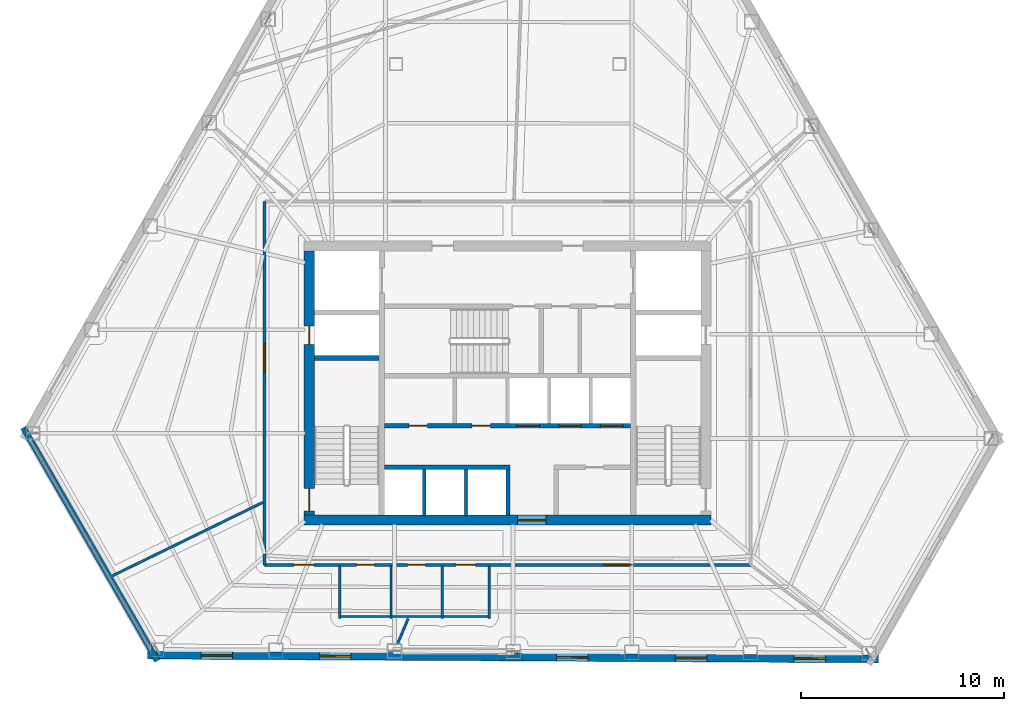
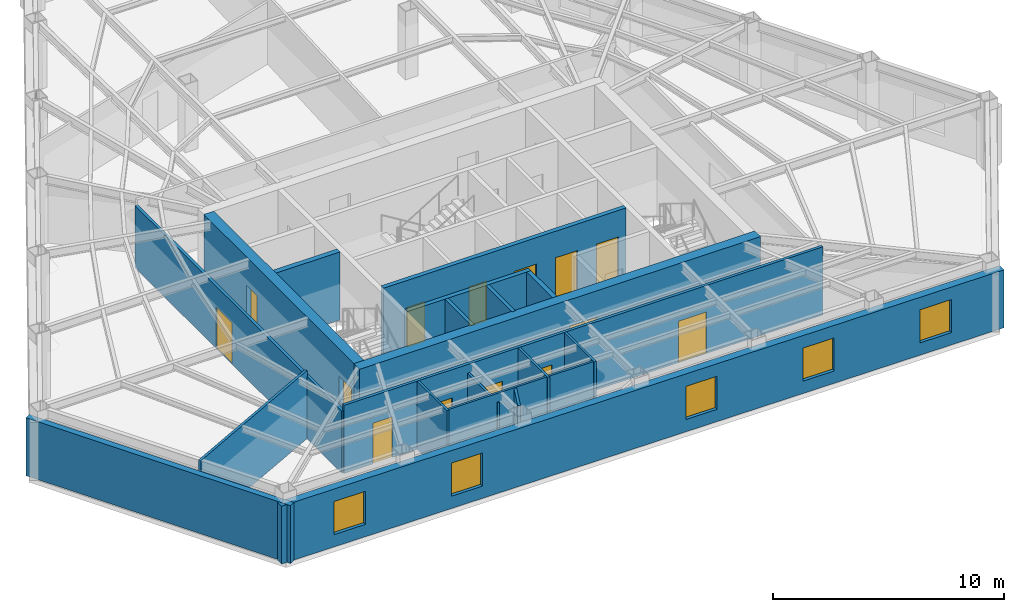
# One storey, part 8 of 13: 19 walls, 14 doors, 5 windows, 19 openings.
"""IFC4 building model written with IfcOpenShell, lengths in metres."""

from ifc_helpers import new_model, si_unit, direction, frame, frame_2d, origin, place, context, subcontext, project, spatial, rectangle, extrude, material, layer, layer_set, type_object, element, fill, save


model = new_model("IFC4")

# Units and contexts
model_context = context("Model", 3, precision=1e-05, world=origin(), true_north=direction((0.0, 1.0)))
body_context = subcontext(model_context, "Body", "Model", "MODEL_VIEW")
ifc_project = project(units=[si_unit("LENGTHUNIT", "METRE"), si_unit("AREAUNIT", "SQUARE_METRE"), si_unit("VOLUMEUNIT", "CUBIC_METRE"), si_unit("PLANEANGLEUNIT", "RADIAN"), si_unit("MASSUNIT", "GRAM", prefix="KILO")], contexts=[model_context])

# Site, building, storey
site_placement = place(None, origin())
site = spatial("IfcSite", under=ifc_project, at=site_placement, CompositionType="ELEMENT")
building_placement = place(site_placement, origin())
building = spatial("IfcBuilding", under=site, at=building_placement, Name="Kavelnor Concourse Tower", CompositionType="ELEMENT")
storey_placement = place(building_placement, frame((0.0, 0.0, 100.89990234375)))
storey = spatial("IfcBuildingStorey", under=building, at=storey_placement, Name="L25", CompositionType="ELEMENT", Elevation=100.89990234375)

# Wall, opening, door
ifc_material_1 = material(Name="Concrete C60/75", Category="concrete")
ifc_layer_1 = layer(ifc_material_1, 0.5, Name="Concrete C60/75")
ifc_layer_set_1 = layer_set([ifc_layer_1], Name="Concrete C60/75")
wall_type_1 = type_object("IfcWallType", Name="WL-CORE-Z2-500", PredefinedType="SOLIDWALL", material=ifc_layer_set_1)
wall_1_placement = place(storey_placement, frame((27.97998046875, 9.35009765625, 0.0), z_axis=(0.0, 0.0, 1.0), x_axis=(1.0, 0.0, 0.0)))
wall_1 = element("IfcWall", 1, at=wall_1_placement, inside=storey, type_object=wall_type_1, Name="L25 Central Core South Shear Wall", PredefinedType="SOLIDWALL", context=body_context, shape_type="SweptSolid", body=[
    extrude(rectangle(XDim=20.0400390625, YDim=0.5, at=frame_2d((10.02001953125, 0.0))), origin(), (0.0, 0.0, 1.0), 3.60009765625),
])
opening_1_placement = place(wall_1_placement, frame((10.52001953125, 0.0, 0.0)))
opening_1 = element("IfcOpeningElement", 2, at=opening_1_placement, cuts=wall_1, Name="Opening SD-140", PredefinedType="OPENING", context=body_context, shape_type="SweptSolid", body=[
    extrude(rectangle(XDim=1.39990234375, YDim=2.199951171875, at=frame_2d((0.699951171875, 1.10009765625))), frame((0.0, 0.260009765625, 0.0), z_axis=(0.0, -1.0, 0.0), x_axis=(1.0, 0.0, 0.0)), (0.0, 0.0, 1.0), 0.52001953125),
])
ifc_material_2 = material(Name="Solid-core hardwood timber", Category="wood")
door_type_1 = type_object("IfcDoorType", Name="DR-SUITE-ENTRY-1400", OperationType="NOTDEFINED", PredefinedType="DOOR", material=ifc_material_2)
door_1_placement = place(opening_1_placement, origin())
door_1 = element("IfcDoor", 3, at=door_1_placement, inside=storey, type_object=door_type_1, Name="L25 Passenger Lift Lobby Entry Door", OperationType="SINGLE_SWING_RIGHT", OverallHeight=2.199951171875, OverallWidth=1.39990234375, PredefinedType="DOOR", context=body_context, shape_type="SweptSolid", body=[
    extrude(rectangle(XDim=1.39990234375, YDim=2.199951171875, at=frame_2d((0.699951171875, 1.10009765625))), frame((0.0, 0.02490234375, 0.0), z_axis=(0.0, -1.0, 0.0), x_axis=(1.0, 0.0, 0.0)), (0.0, 0.0, 1.0), 0.050048828125),
])
fill(opening_1, door_1)

# Wall, openings, doors
wall_2_placement = place(storey_placement, frame((28.22998046875, 9.60009765625, 0.0), z_axis=(0.0, 0.0, 1.0), x_axis=(0.0, 1.0, 0.0)))
wall_2 = element("IfcWall", 4, at=wall_2_placement, inside=storey, type_object=wall_type_1, Name="L25 Central Core West Shear Wall", PredefinedType="SOLIDWALL", context=body_context, shape_type="SweptSolid", body=[
    extrude(rectangle(XDim=13.0, YDim=0.5, at=frame_2d((6.5, 0.0))), origin(), (0.0, 0.0, 1.0), 3.60009765625),
])
opening_2_placement = place(wall_2_placement, frame((0.199951171875, 0.0, 0.0)))
opening_2 = element("IfcOpeningElement", 5, at=opening_2_placement, cuts=wall_2, Name="Opening FD-110", PredefinedType="OPENING", context=body_context, shape_type="SweptSolid", body=[
    extrude(rectangle(XDim=1.10009765625, YDim=2.14990234375, at=frame_2d((0.550048828125, 1.074951171875))), frame((0.0, 0.260009765625, 0.0), z_axis=(0.0, -1.0, 0.0), x_axis=(1.0, 0.0, 0.0)), (0.0, 0.0, 1.0), 0.52001953125),
])
opening_3_placement = place(wall_2_placement, frame((8.39990234375, 0.0, 0.0)))
opening_3 = element("IfcOpeningElement", 6, at=opening_3_placement, cuts=wall_2, Name="Opening FD-090", PredefinedType="OPENING", context=body_context, shape_type="SweptSolid", body=[
    extrude(rectangle(XDim=0.89990234375, YDim=2.10009765625, at=frame_2d((0.449951171875, 1.050048828125))), frame((0.0, 0.260009765625, 0.0), z_axis=(0.0, -1.0, 0.0), x_axis=(1.0, 0.0, 0.0)), (0.0, 0.0, 1.0), 0.52001953125),
])
ifc_material_3 = material(Name="Steel Grade 350", Category="steel")
door_type_2 = type_object("IfcDoorType", Name="DR-RISER-FIRE-900", OperationType="NOTDEFINED", PredefinedType="DOOR", material=ifc_material_3)
door_2_placement = place(opening_3_placement, origin())
door_2 = element("IfcDoor", 7, at=door_2_placement, inside=storey, type_object=door_type_2, Name="L25 West Riser Access Door", OperationType="SINGLE_SWING_RIGHT", OverallHeight=2.10009765625, OverallWidth=0.89990234375, PredefinedType="DOOR", context=body_context, shape_type="SweptSolid", body=[
    extrude(rectangle(XDim=0.89990234375, YDim=2.10009765625, at=frame_2d((0.449951171875, 1.050048828125))), frame((0.0, 0.02490234375, 0.0), z_axis=(0.0, -1.0, 0.0), x_axis=(1.0, 0.0, 0.0)), (0.0, 0.0, 1.0), 0.050048828125),
])
fill(opening_3, door_2)
door_type_3 = type_object("IfcDoorType", Name="DR-STAIR-FIRE-1100", OperationType="NOTDEFINED", PredefinedType="DOOR", material=ifc_material_3)
door_3_placement = place(opening_2_placement, origin())
door_3 = element("IfcDoor", 8, at=door_3_placement, inside=storey, type_object=door_type_3, Name="L25 Stair ST1 Fire Door", OperationType="SINGLE_SWING_LEFT", OverallHeight=2.14990234375, OverallWidth=1.10009765625, PredefinedType="DOOR", context=body_context, shape_type="SweptSolid", body=[
    extrude(rectangle(XDim=1.10009765625, YDim=2.14990234375, at=frame_2d((0.550048828125, 1.074951171875))), frame((0.0, 0.02490234375, 0.0), z_axis=(0.0, -1.0, 0.0), x_axis=(1.0, 0.0, 0.0)), (0.0, 0.0, 1.0), 0.050048828125),
])
fill(opening_2, door_3)

# Wall
ifc_material_4 = material(Name="Buff ironspot clay face brick masonry", Category="masonry")
ifc_layer_2 = layer(ifc_material_4, 0.300048828125, Name="Buff ironspot clay face brick masonry")
ifc_layer_set_2 = layer_set([ifc_layer_2], Name="Buff ironspot clay face brick masonry")
wall_type_2 = type_object("IfcWallType", Name="WL-EXT-BUFF-BRICK-FOLD-300", PredefinedType="STANDARD", material=ifc_layer_set_2)
wall_3_placement = place(storey_placement, frame((20.75439453125, 2.41943359375, 0.0), z_axis=(0.0, 0.0, 1.0), x_axis=(-0.49837034912, 0.866964240969, 0.0)))
element("IfcWall", 9, at=wall_3_placement, inside=storey, type_object=wall_type_2, Name="L25 Exterior Brick Facade Wall E2", PredefinedType="STANDARD", context=body_context, shape_type="SweptSolid", body=[
    extrude(rectangle(XDim=13.245849609375, YDim=0.300048828125, at=frame_2d((6.623046875, 0.0))), origin(), (0.0, 0.0, 1.0), 3.05908203125),
])

# Wall, openings, windows
ifc_material_5 = material(Name="Red-ochre clay face brick masonry", Category="masonry")
ifc_layer_3 = layer(ifc_material_5, 0.3798828125, Name="Red-ochre clay face brick masonry")
ifc_layer_set_3 = layer_set([ifc_layer_3], Name="Red-ochre clay face brick masonry")
wall_type_3 = type_object("IfcWallType", Name="WL-EXT-RED-BRICK-PIER-380", PredefinedType="STANDARD", material=ifc_layer_set_3)
wall_4_placement = place(storey_placement, frame((56.27685546875, 2.512451171875, 0.0), z_axis=(0.0, 0.0, 1.0), x_axis=(-0.999986545033, 0.005187461141, 0.0)))
wall_4 = element("IfcWall", 10, at=wall_4_placement, inside=storey, type_object=wall_type_3, Name="L25 Exterior Brick Facade Wall E3", PredefinedType="STANDARD", context=body_context, shape_type="SweptSolid", body=[
    extrude(rectangle(XDim=36.003662109375, YDim=0.3798828125, at=frame_2d((18.001953125, 0.0))), origin(), (0.0, 0.0, 1.0), 3.05908203125),
])
opening_4_placement = place(wall_4_placement, frame((31.83203125, 0.0, 0.64990234375)))
opening_4 = element("IfcOpeningElement", 11, at=opening_4_placement, cuts=wall_4, Name="Opening W-02", PredefinedType="OPENING", context=body_context, shape_type="SweptSolid", body=[
    extrude(rectangle(XDim=1.550048828125, YDim=1.75, at=frame_2d((0.77490234375, 0.875))), frame((0.0, 0.199951171875, 0.0), z_axis=(0.0, -1.0, 0.0), x_axis=(1.0, 0.0, 0.0)), (0.0, 0.0, 1.0), 0.39990234375),
])
opening_5_placement = place(wall_4_placement, frame((25.990966796875, 0.0, 0.64990234375)))
opening_5 = element("IfcOpeningElement", 12, at=opening_5_placement, cuts=wall_4, Name="Opening W-02", PredefinedType="OPENING", context=body_context, shape_type="SweptSolid", body=[
    extrude(rectangle(XDim=1.550048828125, YDim=1.75, at=frame_2d((0.77490234375, 0.875))), frame((0.0, 0.199951171875, 0.0), z_axis=(0.0, -1.0, 0.0), x_axis=(1.0, 0.0, 0.0)), (0.0, 0.0, 1.0), 0.39990234375),
])
opening_6_placement = place(wall_4_placement, frame((14.308837890625, 0.0, 0.64990234375)))
opening_6 = element("IfcOpeningElement", 13, at=opening_6_placement, cuts=wall_4, Name="Opening W-02", PredefinedType="OPENING", context=body_context, shape_type="SweptSolid", body=[
    extrude(rectangle(XDim=1.550048828125, YDim=1.75, at=frame_2d((0.77490234375, 0.875))), frame((0.0, 0.199951171875, 0.0), z_axis=(0.0, -1.0, 0.0), x_axis=(1.0, 0.0, 0.0)), (0.0, 0.0, 1.0), 0.39990234375),
])
opening_7_placement = place(wall_4_placement, frame((8.4677734375, 0.0, 0.64990234375)))
opening_7 = element("IfcOpeningElement", 14, at=opening_7_placement, cuts=wall_4, Name="Opening W-02", PredefinedType="OPENING", context=body_context, shape_type="SweptSolid", body=[
    extrude(rectangle(XDim=1.550048828125, YDim=1.75, at=frame_2d((0.77490234375, 0.875))), frame((0.0, 0.199951171875, 0.0), z_axis=(0.0, -1.0, 0.0), x_axis=(1.0, 0.0, 0.0)), (0.0, 0.0, 1.0), 0.39990234375),
])
opening_8_placement = place(wall_4_placement, frame((2.626708984375, 0.0, 0.64990234375)))
opening_8 = element("IfcOpeningElement", 15, at=opening_8_placement, cuts=wall_4, Name="Opening W-02", PredefinedType="OPENING", context=body_context, shape_type="SweptSolid", body=[
    extrude(rectangle(XDim=1.550048828125, YDim=1.75, at=frame_2d((0.77490234375, 0.875))), frame((0.0, 0.199951171875, 0.0), z_axis=(0.0, -1.0, 0.0), x_axis=(1.0, 0.0, 0.0)), (0.0, 0.0, 1.0), 0.39990234375),
])
ifc_material_6 = material(Name="Double low-E argon insulated glazing", Category="glass")
window_type = type_object("IfcWindowType", Name="WIN-PIER-Z2-1650", PartitioningType="SINGLE_PANEL", PredefinedType="WINDOW", material=ifc_material_6)
window_1_placement = place(opening_4_placement, origin())
window_1 = element("IfcWindow", 16, at=window_1_placement, inside=storey, type_object=window_type, Name="L25 Deep-Set Brick Pier Window F1-B0", OverallHeight=1.75, OverallWidth=1.550048828125, PartitioningType="SINGLE_PANEL", PredefinedType="WINDOW", context=body_context, shape_type="SweptSolid", body=[
    extrude(rectangle(XDim=1.550048828125, YDim=1.75, at=frame_2d((0.77490234375, 0.875))), frame((0.0, 0.030029296875, 0.0), z_axis=(0.0, -1.0, 0.0), x_axis=(1.0, 0.0, 0.0)), (0.0, 0.0, 1.0), 0.06005859375),
])
fill(opening_4, window_1)
window_2_placement = place(opening_5_placement, origin())
window_2 = element("IfcWindow", 17, at=window_2_placement, inside=storey, type_object=window_type, Name="L25 Deep-Set Brick Pier Window F1-B1", OverallHeight=1.75, OverallWidth=1.550048828125, PartitioningType="SINGLE_PANEL", PredefinedType="WINDOW", context=body_context, shape_type="SweptSolid", body=[
    extrude(rectangle(XDim=1.550048828125, YDim=1.75, at=frame_2d((0.77490234375, 0.875))), frame((0.0, 0.030029296875, 0.0), z_axis=(0.0, -1.0, 0.0), x_axis=(1.0, 0.0, 0.0)), (0.0, 0.0, 1.0), 0.06005859375),
])
fill(opening_5, window_2)
window_3_placement = place(opening_6_placement, origin())
window_3 = element("IfcWindow", 18, at=window_3_placement, inside=storey, type_object=window_type, Name="L25 Deep-Set Brick Pier Window F1-B3", OverallHeight=1.75, OverallWidth=1.550048828125, PartitioningType="SINGLE_PANEL", PredefinedType="WINDOW", context=body_context, shape_type="SweptSolid", body=[
    extrude(rectangle(XDim=1.550048828125, YDim=1.75, at=frame_2d((0.77490234375, 0.875))), frame((0.0, 0.030029296875, 0.0), z_axis=(0.0, -1.0, 0.0), x_axis=(1.0, 0.0, 0.0)), (0.0, 0.0, 1.0), 0.06005859375),
])
fill(opening_6, window_3)
window_4_placement = place(opening_7_placement, origin())
window_4 = element("IfcWindow", 19, at=window_4_placement, inside=storey, type_object=window_type, Name="L25 Deep-Set Brick Pier Window F1-B4", OverallHeight=1.75, OverallWidth=1.550048828125, PartitioningType="SINGLE_PANEL", PredefinedType="WINDOW", context=body_context, shape_type="SweptSolid", body=[
    extrude(rectangle(XDim=1.550048828125, YDim=1.75, at=frame_2d((0.77490234375, 0.875))), frame((0.0, 0.030029296875, 0.0), z_axis=(0.0, -1.0, 0.0), x_axis=(1.0, 0.0, 0.0)), (0.0, 0.0, 1.0), 0.06005859375),
])
fill(opening_7, window_4)
window_5_placement = place(opening_8_placement, origin())
window_5 = element("IfcWindow", 20, at=window_5_placement, inside=storey, type_object=window_type, Name="L25 Deep-Set Brick Pier Window F1-B5", OverallHeight=1.75, OverallWidth=1.550048828125, PartitioningType="SINGLE_PANEL", PredefinedType="WINDOW", context=body_context, shape_type="SweptSolid", body=[
    extrude(rectangle(XDim=1.550048828125, YDim=1.75, at=frame_2d((0.77490234375, 0.875))), frame((0.0, 0.030029296875, 0.0), z_axis=(0.0, -1.0, 0.0), x_axis=(1.0, 0.0, 0.0)), (0.0, 0.0, 1.0), 0.06005859375),
])
fill(opening_8, window_5)

# Wall, opening, door
ifc_material_7 = material(Name="Gypsum plasterboard on light-gauge steel studs", Category="steel")
ifc_layer_4 = layer(ifc_material_7, 0.14501953125, Name="Gypsum plasterboard on light-gauge steel studs")
ifc_layer_set_4 = layer_set([ifc_layer_4], Name="Gypsum plasterboard on light-gauge steel studs")
wall_type_4 = type_object("IfcWallType", Name="WL-INT-CORR-145", PredefinedType="PARTITIONING", material=ifc_layer_set_4)
wall_5_placement = place(storey_placement, frame((26.030029296875, 25.050048828125, 0.0), z_axis=(0.0, 0.0, 1.0), x_axis=(0.0, -1.0, 0.0)))
wall_5 = element("IfcWall", 21, at=wall_5_placement, inside=storey, type_object=wall_type_4, Name="L25 Corridor Wall WL-L25-CR-03", PredefinedType="PARTITIONING", context=body_context, shape_type="SweptSolid", body=[
    extrude(rectangle(XDim=17.900146484375, YDim=0.14501953125, at=frame_2d((8.9501953125, 0.0))), origin(), (0.0, 0.0, 1.0), 3.2880859375),
])
opening_9_placement = place(wall_5_placement, frame((7.01611328125, 0.0, 0.0)))
opening_9 = element("IfcOpeningElement", 22, at=opening_9_placement, cuts=wall_5, Name="Opening SD-140", PredefinedType="OPENING", context=body_context, shape_type="SweptSolid", body=[
    extrude(rectangle(XDim=1.39990234375, YDim=2.199951171875, at=frame_2d((0.699951171875, 1.10009765625))), frame((0.0, 0.08251953125, 0.0), z_axis=(0.0, -1.0, 0.0), x_axis=(1.0, 0.0, 0.0)), (0.0, 0.0, 1.0), 0.1650390625),
])
door_4_placement = place(opening_9_placement, origin())
door_4 = element("IfcDoor", 23, at=door_4_placement, inside=storey, type_object=door_type_1, Name="L25 Architectural Design Studio 04 Door", OperationType="SINGLE_SWING_RIGHT", OverallHeight=2.199951171875, OverallWidth=1.39990234375, PredefinedType="DOOR", context=body_context, shape_type="SweptSolid", body=[
    extrude(rectangle(XDim=1.39990234375, YDim=2.199951171875, at=frame_2d((0.699951171875, 1.10009765625))), frame((0.0, 0.02490234375, 0.0), z_axis=(0.0, -1.0, 0.0), x_axis=(1.0, 0.0, 0.0)), (0.0, 0.0, 1.0), 0.050048828125),
])
fill(opening_9, door_4)

# Wall, openings, doors
wall_6_placement = place(storey_placement, frame((26.030029296875, 7.14990234375, 0.0), z_axis=(0.0, 0.0, 1.0), x_axis=(1.0, 0.0, 0.0)))
wall_6 = element("IfcWall", 24, at=wall_6_placement, inside=storey, type_object=wall_type_4, Name="L25 Corridor Wall WL-L25-CR-04", PredefinedType="PARTITIONING", context=body_context, shape_type="SweptSolid", body=[
    extrude(rectangle(XDim=23.93994140625, YDim=0.14501953125, at=frame_2d((11.969970703125, 0.0))), origin(), (0.0, 0.0, 1.0), 3.60009765625),
])
opening_10_placement = place(wall_6_placement, frame((4.530029296875, 0.0, 0.0)))
opening_10 = element("IfcOpeningElement", 25, at=opening_10_placement, cuts=wall_6, Name="Opening WD-088", PredefinedType="OPENING", context=body_context, shape_type="SweptSolid", body=[
    extrude(rectangle(XDim=0.8798828125, YDim=2.10009765625, at=frame_2d((0.43994140625, 1.050048828125))), frame((0.0, 0.08251953125, 0.0), z_axis=(0.0, -1.0, 0.0), x_axis=(1.0, 0.0, 0.0)), (0.0, 0.0, 1.0), 0.1650390625),
])
opening_11_placement = place(wall_6_placement, frame((7.050048828125, 0.0, 0.0)))
opening_11 = element("IfcOpeningElement", 26, at=opening_11_placement, cuts=wall_6, Name="Opening WD-088", PredefinedType="OPENING", context=body_context, shape_type="SweptSolid", body=[
    extrude(rectangle(XDim=0.8798828125, YDim=2.10009765625, at=frame_2d((0.43994140625, 1.050048828125))), frame((0.0, 0.08251953125, 0.0), z_axis=(0.0, -1.0, 0.0), x_axis=(1.0, 0.0, 0.0)), (0.0, 0.0, 1.0), 0.1650390625),
])
opening_12_placement = place(wall_6_placement, frame((9.429931640625, 0.0, 0.0)))
opening_12 = element("IfcOpeningElement", 27, at=opening_12_placement, cuts=wall_6, Name="Opening WD-096", PredefinedType="OPENING", context=body_context, shape_type="SweptSolid", body=[
    extrude(rectangle(XDim=0.9599609375, YDim=2.10009765625, at=frame_2d((0.47998046875, 1.050048828125))), frame((0.0, 0.08251953125, 0.0), z_axis=(0.0, -1.0, 0.0), x_axis=(1.0, 0.0, 0.0)), (0.0, 0.0, 1.0), 0.1650390625),
])
opening_13_placement = place(wall_6_placement, frame((1.45556640625, 0.0, 0.0)))
opening_13 = element("IfcOpeningElement", 28, at=opening_13_placement, cuts=wall_6, Name="Opening OD-098", PredefinedType="OPENING", context=body_context, shape_type="SweptSolid", body=[
    extrude(rectangle(XDim=0.97998046875, YDim=2.14990234375, at=frame_2d((0.489990234375, 1.074951171875))), frame((0.0, 0.08251953125, 0.0), z_axis=(0.0, -1.0, 0.0), x_axis=(1.0, 0.0, 0.0)), (0.0, 0.0, 1.0), 0.1650390625),
])
opening_14_placement = place(wall_6_placement, frame((16.71435546875, 0.0, 0.0)))
opening_14 = element("IfcOpeningElement", 29, at=opening_14_placement, cuts=wall_6, Name="Opening SD-140", PredefinedType="OPENING", context=body_context, shape_type="SweptSolid", body=[
    extrude(rectangle(XDim=1.39990234375, YDim=2.199951171875, at=frame_2d((0.699951171875, 1.10009765625))), frame((0.0, 0.08251953125, 0.0), z_axis=(0.0, -1.0, 0.0), x_axis=(1.0, 0.0, 0.0)), (0.0, 0.0, 1.0), 0.1650390625),
])
door_type_4 = type_object("IfcDoorType", Name="DR-OFFICE-980", OperationType="NOTDEFINED", PredefinedType="DOOR", material=ifc_material_2)
door_5_placement = place(opening_13_placement, origin())
door_5 = element("IfcDoor", 30, at=door_5_placement, inside=storey, type_object=door_type_4, Name="L25 Architectural Design Studio 05 Door", OperationType="SINGLE_SWING_LEFT", OverallHeight=2.14990234375, OverallWidth=0.97998046875, PredefinedType="DOOR", context=body_context, shape_type="SweptSolid", body=[
    extrude(rectangle(XDim=0.97998046875, YDim=2.14990234375, at=frame_2d((0.489990234375, 1.074951171875))), frame((0.0, 0.02490234375, 0.0), z_axis=(0.0, -1.0, 0.0), x_axis=(1.0, 0.0, 0.0)), (0.0, 0.0, 1.0), 0.050048828125),
])
fill(opening_13, door_5)
door_6_placement = place(opening_14_placement, origin())
door_6 = element("IfcDoor", 31, at=door_6_placement, inside=storey, type_object=door_type_1, Name="L25 Architectural Design Studio 06 Door", OperationType="SINGLE_SWING_RIGHT", OverallHeight=2.199951171875, OverallWidth=1.39990234375, PredefinedType="DOOR", context=body_context, shape_type="SweptSolid", body=[
    extrude(rectangle(XDim=1.39990234375, YDim=2.199951171875, at=frame_2d((0.699951171875, 1.10009765625))), frame((0.0, 0.02490234375, 0.0), z_axis=(0.0, -1.0, 0.0), x_axis=(1.0, 0.0, 0.0)), (0.0, 0.0, 1.0), 0.050048828125),
])
fill(opening_14, door_6)
door_type_5 = type_object("IfcDoorType", Name="DR-WC-ACC-960", OperationType="NOTDEFINED", PredefinedType="DOOR", material=ifc_material_2)
door_7_placement = place(opening_12_placement, origin())
door_7 = element("IfcDoor", 32, at=door_7_placement, inside=storey, type_object=door_type_5, Name="L25 Accessible WC Door", OperationType="SINGLE_SWING_LEFT", OverallHeight=2.10009765625, OverallWidth=0.9599609375, PredefinedType="DOOR", context=body_context, shape_type="SweptSolid", body=[
    extrude(rectangle(XDim=0.9599609375, YDim=2.10009765625, at=frame_2d((0.47998046875, 1.050048828125))), frame((0.0, 0.02490234375, 0.0), z_axis=(0.0, -1.0, 0.0), x_axis=(1.0, 0.0, 0.0)), (0.0, 0.0, 1.0), 0.050048828125),
])
fill(opening_12, door_7)
door_type_6 = type_object("IfcDoorType", Name="DR-WC-STD-880", OperationType="NOTDEFINED", PredefinedType="DOOR", material=ifc_material_2)
door_8_placement = place(opening_10_placement, origin())
door_8 = element("IfcDoor", 33, at=door_8_placement, inside=storey, type_object=door_type_6, Name="L25 Male WC Door", OperationType="SINGLE_SWING_LEFT", OverallHeight=2.10009765625, OverallWidth=0.8798828125, PredefinedType="DOOR", context=body_context, shape_type="SweptSolid", body=[
    extrude(rectangle(XDim=0.8798828125, YDim=2.10009765625, at=frame_2d((0.43994140625, 1.050048828125))), frame((0.0, 0.02490234375, 0.0), z_axis=(0.0, -1.0, 0.0), x_axis=(1.0, 0.0, 0.0)), (0.0, 0.0, 1.0), 0.050048828125),
])
fill(opening_10, door_8)
door_9_placement = place(opening_11_placement, origin())
door_9 = element("IfcDoor", 34, at=door_9_placement, inside=storey, type_object=door_type_6, Name="L25 Female WC Door", OperationType="SINGLE_SWING_RIGHT", OverallHeight=2.10009765625, OverallWidth=0.8798828125, PredefinedType="DOOR", context=body_context, shape_type="SweptSolid", body=[
    extrude(rectangle(XDim=0.8798828125, YDim=2.10009765625, at=frame_2d((0.43994140625, 1.050048828125))), frame((0.0, 0.02490234375, 0.0), z_axis=(0.0, -1.0, 0.0), x_axis=(1.0, 0.0, 0.0)), (0.0, 0.0, 1.0), 0.050048828125),
])
fill(opening_11, door_9)

# Walls
ifc_layer_5 = layer(ifc_material_7, 0.1650390625, Name="Gypsum plasterboard on light-gauge steel studs")
ifc_layer_set_5 = layer_set([ifc_layer_5], Name="Gypsum plasterboard on light-gauge steel studs")
wall_type_5 = type_object("IfcWallType", Name="WL-INT-FIRE-165", PredefinedType="PARTITIONING", material=ifc_layer_set_5)
for number, where, z_axis, x_axis, name in (
    (35, (33.89990234375, 9.550048828125, 0.0), (0.0, 0.0, 1.0), (0.0, 1.0, 0.0), "L25 Lift Shaft Divider LP7"),
    (36, (35.949951171875, 9.550048828125, 0.0), (0.0, 0.0, 1.0), (0.0, 1.0, 0.0), "L25 Lift Shaft Divider LP8"),
):
    element("IfcWall", number, at=place(storey_placement, frame(where, z_axis=z_axis, x_axis=x_axis)), inside=storey, type_object=wall_type_5, Name=name, PredefinedType="PARTITIONING", context=body_context, shape_type="SweptSolid", body=[
        extrude(rectangle(XDim=2.2900390625, YDim=0.1650390625, at=frame_2d((1.14501953125, 0.0))), origin(), (0.0, 0.0, 1.0), 3.60009765625),
    ])
ifc_layer_6 = layer(ifc_material_7, 0.125, Name="Gypsum plasterboard on light-gauge steel studs")
ifc_layer_set_6 = layer_set([ifc_layer_6], Name="Gypsum plasterboard on light-gauge steel studs")
wall_type_6 = type_object("IfcWallType", Name="WL-INT-SUITE-125", PredefinedType="PARTITIONING", material=ifc_layer_set_6)
wall_7_placement = place(storey_placement, frame((25.949462890625, 10.22265625, 0.0), z_axis=(0.0, 0.0, 1.0), x_axis=(-0.898788385453, -0.438382753054, 0.0)))
element("IfcWall", 37, at=wall_7_placement, inside=storey, type_object=wall_type_6, Name="L25 Radial Suite Partition 04", PredefinedType="PARTITIONING", context=body_context, shape_type="SweptSolid", body=[
    extrude(rectangle(XDim=8.23681640625, YDim=0.125, at=frame_2d((4.118408203125, 0.0))), origin(), (0.0, 0.0, 1.0), 3.60009765625),
])
wall_8_placement = place(storey_placement, frame((33.105712890625, 4.5, 0.0), z_axis=(0.0, 0.0, 1.0), x_axis=(-0.388819762507, -0.921313840276, 0.0)))
element("IfcWall", 38, at=wall_8_placement, inside=storey, type_object=wall_type_6, Name="L25 Radial Suite Partition 05", PredefinedType="PARTITIONING", context=body_context, shape_type="SweptSolid", body=[
    extrude(rectangle(XDim=1.33056640625, YDim=0.125, at=frame_2d((0.665283203125, 0.0))), origin(), (0.0, 0.0, 1.0), 3.60009765625),
])
ifc_layer_7 = layer(ifc_material_7, 0.110107421875, Name="Gypsum plasterboard on light-gauge steel studs")
ifc_layer_set_7 = layer_set([ifc_layer_7], Name="Gypsum plasterboard on light-gauge steel studs")
wall_type_7 = type_object("IfcWallType", Name="WL-INT-WC-110", PredefinedType="PLUMBINGWALL", material=ifc_layer_set_7)
wall_9_placement = place(storey_placement, frame((29.739990234375, 4.5, 0.0), z_axis=(0.0, 0.0, 1.0), x_axis=(0.0, 1.0, 0.0)))
element("IfcWall", 39, at=wall_9_placement, inside=storey, type_object=wall_type_7, Name="L25 Sanitary Partition WL-L25-WC-W", PredefinedType="PLUMBINGWALL", context=body_context, shape_type="SweptSolid", body=[
    extrude(rectangle(XDim=2.580078125, YDim=0.110107421875, at=frame_2d((1.2900390625, 0.0))), origin(), (0.0, 0.0, 1.0), 3.60009765625),
])
wall_10_placement = place(storey_placement, frame((32.260009765625, 4.5, 0.0), z_axis=(0.0, 0.0, 1.0), x_axis=(0.0, 1.0, 0.0)))
element("IfcWall", 40, at=wall_10_placement, inside=storey, type_object=wall_type_7, Name="L25 Sanitary Partition WL-L25-WC-D1", PredefinedType="PLUMBINGWALL", context=body_context, shape_type="SweptSolid", body=[
    extrude(rectangle(XDim=2.580078125, YDim=0.110107421875, at=frame_2d((1.2900390625, 0.0))), origin(), (0.0, 0.0, 1.0), 3.14111328125),
])
for number, where, z_axis, x_axis, name in (
    (41, (34.780029296875, 4.5, 0.0), (0.0, 0.0, 1.0), (0.0, 1.0, 0.0), "L25 Sanitary Partition WL-L25-WC-D2"),
    (42, (37.10009765625, 4.5, 0.0), (0.0, 0.0, 1.0), (0.0, 1.0, 0.0), "L25 Sanitary Partition WL-L25-WC-E"),
):
    element("IfcWall", number, at=place(storey_placement, frame(where, z_axis=z_axis, x_axis=x_axis)), inside=storey, type_object=wall_type_7, Name=name, PredefinedType="PLUMBINGWALL", context=body_context, shape_type="SweptSolid", body=[
        extrude(rectangle(XDim=2.580078125, YDim=0.110107421875, at=frame_2d((1.2900390625, 0.0))), origin(), (0.0, 0.0, 1.0), 3.60009765625),
    ])
wall_11_placement = place(storey_placement, frame((29.68994140625, 4.60009765625, 0.0), z_axis=(0.0, 0.0, 1.0), x_axis=(1.0, 0.0, 0.0)))
element("IfcWall", 43, at=wall_11_placement, inside=storey, type_object=wall_type_7, Name="L25 Sanitary Partition WL-L25-WC-S", PredefinedType="PLUMBINGWALL", context=body_context, shape_type="SweptSolid", body=[
    extrude(rectangle(XDim=7.4599609375, YDim=0.110107421875, at=frame_2d((3.72998046875, 0.0))), origin(), (0.0, 0.0, 1.0), 3.60009765625),
])

# Wall, openings, doors
ifc_material_8 = material(Name="Concrete C50/60", Category="concrete")
ifc_layer_8 = layer(ifc_material_8, 0.219970703125, Name="Concrete C50/60")
ifc_layer_set_8 = layer_set([ifc_layer_8], Name="Concrete C50/60")
wall_type_8 = type_object("IfcWallType", Name="WL-SHAFT-220", PredefinedType="SOLIDWALL", material=ifc_layer_set_8)
wall_12_placement = place(storey_placement, frame((31.93994140625, 13.989990234375, 0.0), z_axis=(0.0, 0.0, 1.0), x_axis=(1.0, 0.0, 0.0)))
wall_12 = element("IfcWall", 44, at=wall_12_placement, inside=storey, type_object=wall_type_8, Name="L25 North Lift Row Shaft Wall", PredefinedType="SOLIDWALL", context=body_context, shape_type="SweptSolid", body=[
    extrude(rectangle(XDim=12.1201171875, YDim=0.219970703125, at=frame_2d((6.06005859375, 0.0))), origin(), (0.0, 0.0, 1.0), 3.60009765625),
])
opening_15_placement = place(wall_12_placement, frame((1.2099609375, 0.0, 0.0)))
opening_15 = element("IfcOpeningElement", 45, at=opening_15_placement, cuts=wall_12, Name="Opening FD-090", PredefinedType="OPENING", context=body_context, shape_type="SweptSolid", body=[
    extrude(rectangle(XDim=0.89990234375, YDim=2.10009765625, at=frame_2d((0.449951171875, 1.050048828125))), frame((0.0, 0.1201171875, 0.0), z_axis=(0.0, -1.0, 0.0), x_axis=(1.0, 0.0, 0.0)), (0.0, 0.0, 1.0), 0.239990234375),
])
opening_16_placement = place(wall_12_placement, frame((4.31005859375, 0.0, 0.0)))
opening_16 = element("IfcOpeningElement", 46, at=opening_16_placement, cuts=wall_12, Name="Opening FD-090", PredefinedType="OPENING", context=body_context, shape_type="SweptSolid", body=[
    extrude(rectangle(XDim=0.89990234375, YDim=2.10009765625, at=frame_2d((0.449951171875, 1.050048828125))), frame((0.0, 0.1201171875, 0.0), z_axis=(0.0, -1.0, 0.0), x_axis=(1.0, 0.0, 0.0)), (0.0, 0.0, 1.0), 0.239990234375),
])
opening_17_placement = place(wall_12_placement, frame((6.534912109375, 0.0, 0.0)))
opening_17 = element("IfcOpeningElement", 47, at=opening_17_placement, cuts=wall_12, Name="Opening LD-110", PredefinedType="OPENING", context=body_context, shape_type="SweptSolid", body=[
    extrude(rectangle(XDim=1.10009765625, YDim=2.199951171875, at=frame_2d((0.550048828125, 1.10009765625))), frame((0.0, 0.1201171875, 0.0), z_axis=(0.0, -1.0, 0.0), x_axis=(1.0, 0.0, 0.0)), (0.0, 0.0, 1.0), 0.239990234375),
])
opening_18_placement = place(wall_12_placement, frame((8.5849609375, 0.0, 0.0)))
opening_18 = element("IfcOpeningElement", 48, at=opening_18_placement, cuts=wall_12, Name="Opening LD-110", PredefinedType="OPENING", context=body_context, shape_type="SweptSolid", body=[
    extrude(rectangle(XDim=1.10009765625, YDim=2.199951171875, at=frame_2d((0.550048828125, 1.10009765625))), frame((0.0, 0.1201171875, 0.0), z_axis=(0.0, -1.0, 0.0), x_axis=(1.0, 0.0, 0.0)), (0.0, 0.0, 1.0), 0.239990234375),
])
opening_19_placement = place(wall_12_placement, frame((10.635009765625, 0.0, 0.0)))
opening_19 = element("IfcOpeningElement", 49, at=opening_19_placement, cuts=wall_12, Name="Opening LD-110", PredefinedType="OPENING", context=body_context, shape_type="SweptSolid", body=[
    extrude(rectangle(XDim=1.10009765625, YDim=2.199951171875, at=frame_2d((0.550048828125, 1.10009765625))), frame((0.0, 0.1201171875, 0.0), z_axis=(0.0, -1.0, 0.0), x_axis=(1.0, 0.0, 0.0)), (0.0, 0.0, 1.0), 0.239990234375),
])
door_type_7 = type_object("IfcDoorType", Name="DR-LIFT-SLIDING-1100", OperationType="NOTDEFINED", PredefinedType="DOOR", material=ifc_material_3)
door_10_placement = place(opening_17_placement, origin())
door_10 = element("IfcDoor", 50, at=door_10_placement, inside=storey, type_object=door_type_7, Name="L25 Lift LP4 Landing Door", OperationType="DOUBLE_DOOR_SLIDING", OverallHeight=2.199951171875, OverallWidth=1.10009765625, PredefinedType="DOOR", context=body_context, shape_type="SweptSolid", body=[
    extrude(rectangle(XDim=1.10009765625, YDim=2.199951171875, at=frame_2d((0.550048828125, 1.10009765625))), frame((0.0, 0.02490234375, 0.0), z_axis=(0.0, -1.0, 0.0), x_axis=(1.0, 0.0, 0.0)), (0.0, 0.0, 1.0), 0.050048828125),
])
fill(opening_17, door_10)
door_11_placement = place(opening_18_placement, origin())
door_11 = element("IfcDoor", 51, at=door_11_placement, inside=storey, type_object=door_type_7, Name="L25 Lift LP5 Landing Door", OperationType="DOUBLE_DOOR_SLIDING", OverallHeight=2.199951171875, OverallWidth=1.10009765625, PredefinedType="DOOR", context=body_context, shape_type="SweptSolid", body=[
    extrude(rectangle(XDim=1.10009765625, YDim=2.199951171875, at=frame_2d((0.550048828125, 1.10009765625))), frame((0.0, 0.02490234375, 0.0), z_axis=(0.0, -1.0, 0.0), x_axis=(1.0, 0.0, 0.0)), (0.0, 0.0, 1.0), 0.050048828125),
])
fill(opening_18, door_11)
door_12_placement = place(opening_19_placement, origin())
door_12 = element("IfcDoor", 52, at=door_12_placement, inside=storey, type_object=door_type_7, Name="L25 Lift LP6 Landing Door", OperationType="DOUBLE_DOOR_SLIDING", OverallHeight=2.199951171875, OverallWidth=1.10009765625, PredefinedType="DOOR", context=body_context, shape_type="SweptSolid", body=[
    extrude(rectangle(XDim=1.10009765625, YDim=2.199951171875, at=frame_2d((0.550048828125, 1.10009765625))), frame((0.0, 0.02490234375, 0.0), z_axis=(0.0, -1.0, 0.0), x_axis=(1.0, 0.0, 0.0)), (0.0, 0.0, 1.0), 0.050048828125),
])
fill(opening_19, door_12)
door_13_placement = place(opening_15_placement, origin())
door_13 = element("IfcDoor", 53, at=door_13_placement, inside=storey, type_object=door_type_2, Name="L25 Core Tea Pantry Door", OperationType="SINGLE_SWING_RIGHT", OverallHeight=2.10009765625, OverallWidth=0.89990234375, PredefinedType="DOOR", context=body_context, shape_type="SweptSolid", body=[
    extrude(rectangle(XDim=0.89990234375, YDim=2.10009765625, at=frame_2d((0.449951171875, 1.050048828125))), frame((0.0, 0.02490234375, 0.0), z_axis=(0.0, -1.0, 0.0), x_axis=(1.0, 0.0, 0.0)), (0.0, 0.0, 1.0), 0.050048828125),
])
fill(opening_15, door_13)
door_14_placement = place(opening_16_placement, origin())
door_14 = element("IfcDoor", 54, at=door_14_placement, inside=storey, type_object=door_type_2, Name="L25 Archive Store Door", OperationType="SINGLE_SWING_LEFT", OverallHeight=2.10009765625, OverallWidth=0.89990234375, PredefinedType="DOOR", context=body_context, shape_type="SweptSolid", body=[
    extrude(rectangle(XDim=0.89990234375, YDim=2.10009765625, at=frame_2d((0.449951171875, 1.050048828125))), frame((0.0, 0.02490234375, 0.0), z_axis=(0.0, -1.0, 0.0), x_axis=(1.0, 0.0, 0.0)), (0.0, 0.0, 1.0), 0.050048828125),
])
fill(opening_16, door_14)

# Walls
wall_13_placement = place(storey_placement, frame((31.93994140625, 11.949951171875, 0.0), z_axis=(0.0, 0.0, 1.0), x_axis=(1.0, 0.0, 0.0)))
element("IfcWall", 55, at=wall_13_placement, inside=storey, type_object=wall_type_8, Name="L25 High-Rise Lift Bank North Wall", PredefinedType="SOLIDWALL", context=body_context, shape_type="SweptSolid", body=[
    extrude(rectangle(XDim=6.18994140625, YDim=0.219970703125, at=frame_2d((3.094970703125, 0.0))), origin(), (0.0, 0.0, 1.0), 3.60009765625),
])
wall_14_placement = place(storey_placement, frame((38.02001953125, 9.60009765625, 0.0), z_axis=(0.0, 0.0, 1.0), x_axis=(0.0, 1.0, 0.0)))
element("IfcWall", 56, at=wall_14_placement, inside=storey, type_object=wall_type_8, Name="L25 Lift Lobby Throat West Wall", PredefinedType="SOLIDWALL", context=body_context, shape_type="SweptSolid", body=[
    extrude(rectangle(XDim=2.239990234375, YDim=0.219970703125, at=frame_2d((1.1201171875, 0.0))), origin(), (0.0, 0.0, 1.0), 3.60009765625),
])
ifc_layer_9 = layer(ifc_material_8, 0.260009765625, Name="Concrete C50/60")
ifc_layer_set_9 = layer_set([ifc_layer_9], Name="Concrete C50/60")
wall_type_9 = type_object("IfcWallType", Name="WL-SHAFT-260", PredefinedType="SHEAR", material=ifc_layer_set_9)
wall_15_placement = place(storey_placement, frame((28.47998046875, 17.330078125, 0.0), z_axis=(0.0, 0.0, 1.0), x_axis=(1.0, 0.0, 0.0)))
element("IfcWall", 57, at=wall_15_placement, inside=storey, type_object=wall_type_9, Name="L25 Stair ST1 North Shaft Wall", PredefinedType="SHEAR", context=body_context, shape_type="SweptSolid", body=[
    extrude(rectangle(XDim=3.199951171875, YDim=0.260009765625, at=frame_2d((1.60009765625, 0.0))), origin(), (0.0, 0.0, 1.0), 3.60009765625),
])

save(model, "model.ifc")
